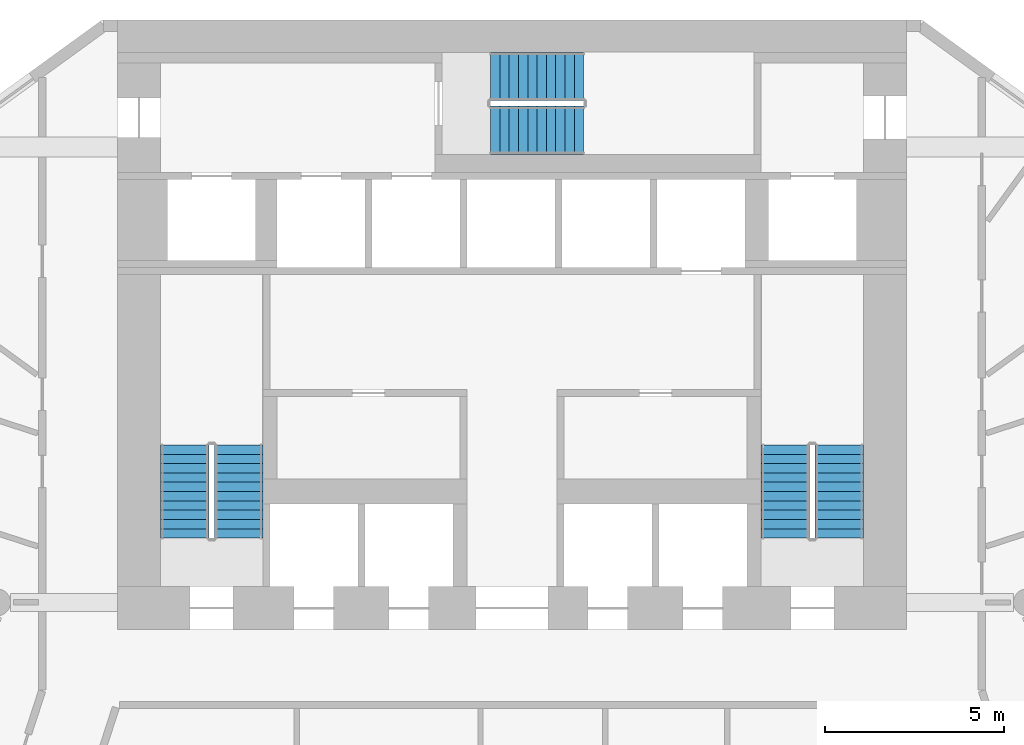
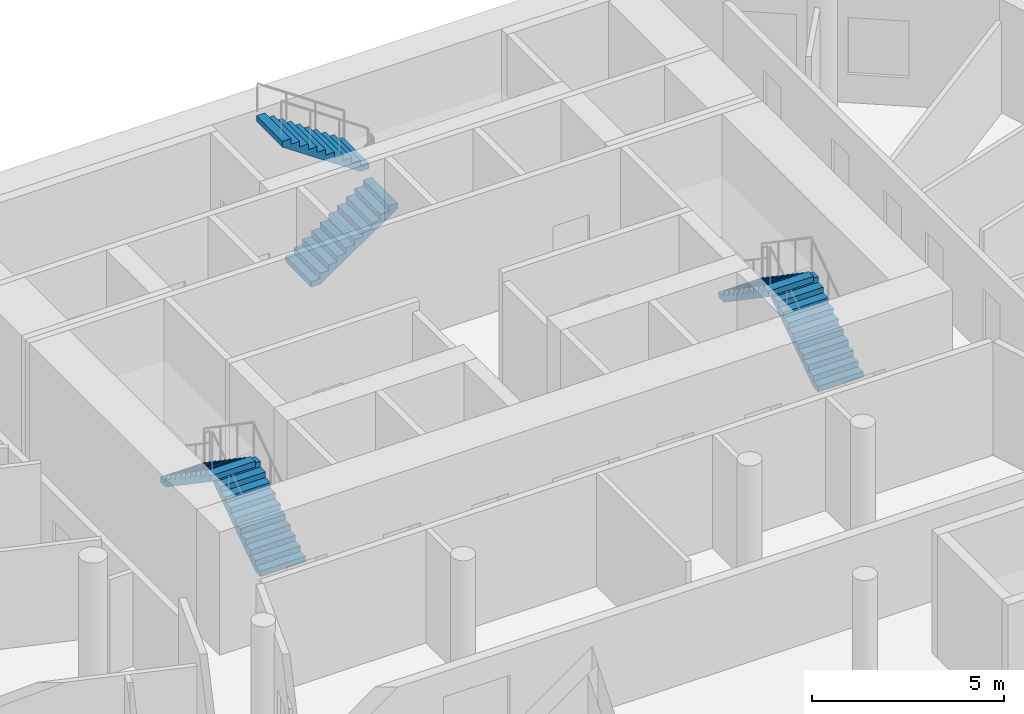
# One storey, part 7 of 9: 6 stair flights, 3 elements without a shape of their own.
"""IFC4 building model written with IfcOpenShell, lengths in metres."""

import ifcopenshell
import ifcopenshell.guid

model = None  # the IFC model being written
_history = None  # IfcOwnerHistory: only IFC2X3 demands one
_inside = {}  # id of a spatial element -> (the spatial element, [elements in it])
_under = {}  # id of a project, library or spatial element -> (it, [spatial elements below it])
_declared = {}  # id of a project -> (the project, [libraries it declares])
_typed = {}  # id of a type object -> (the type object, [elements of that type])
_made_of = {}  # id of a material, layer set ... -> (it, [elements and type objects made of it])


def new_model(schema):
    """Start an empty IFC model of exactly this schema.

    Asked for "IFC4X3", IfcOpenShell would pick the latest addendum, in which some entities
    have other attributes; the version numbers below select the first issue.
    IFC2X3 requires an IfcOwnerHistory on every rooted entity: one is made here for all.
    """
    global model, _history
    if schema == "IFC4X3":
        model = ifcopenshell.file(schema_version=(4, 3, 0, 0))
    else:
        model = ifcopenshell.file(schema=schema)
    _inside.clear()
    _under.clear()
    _declared.clear()
    _typed.clear()
    _made_of.clear()
    _history = None
    if model.schema == "IFC2X3":
        org = make("IfcOrganization", Name="unknown")
        user = make(
            "IfcPersonAndOrganization",
            ThePerson=make("IfcPerson", FamilyName="unknown"),
            TheOrganization=org,
        )
        app = make(
            "IfcApplication",
            ApplicationDeveloper=org,
            Version="unknown",
            ApplicationFullName="unknown",
            ApplicationIdentifier="unknown",
        )
        _history = make(
            "IfcOwnerHistory",
            OwningUser=user,
            OwningApplication=app,
            ChangeAction="ADDED",
            CreationDate=0,
        )
    return model


def make(cls, **values):
    """One entity of the class cls with the attributes given. An attribute that is None is left unset."""
    return model.create_entity(
        cls, **{name: value for name, value in values.items() if value is not None}
    )


def rooted(cls, **values):
    """An entity with a GlobalId (a new one), such as an element, a storey or a relation."""
    return make(cls, GlobalId=ifcopenshell.guid.new(), OwnerHistory=_history, **values)


def si_unit(unit_type, name, prefix=None):
    """IfcSIUnit, for example si_unit("LENGTHUNIT", "METRE", prefix="MILLI")."""
    return make("IfcSIUnit", UnitType=unit_type, Prefix=prefix, Name=name)


def assignment(units):
    """IfcUnitAssignment: the units of a project."""
    return None if units is None else make("IfcUnitAssignment", Units=units)


def point(xyz):
    """IfcCartesianPoint."""
    return None if xyz is None else make("IfcCartesianPoint", Coordinates=xyz)


def direction(xyz):
    """IfcDirection."""
    return None if xyz is None else make("IfcDirection", DirectionRatios=xyz)


def frame(location, z_axis=None, x_axis=None):
    """IfcAxis2Placement3D, a coordinate frame: its origin and axes. An axis left out is left unset."""
    return make(
        "IfcAxis2Placement3D",
        Location=point(location),
        Axis=direction(z_axis),
        RefDirection=direction(x_axis),
    )


def origin():
    """The frame at (0, 0, 0) with its axes left unset."""
    return frame((0.0, 0.0, 0.0))


def place(relative_to, where):
    """IfcLocalPlacement: puts the frame where relative to a parent placement (None: the world)."""
    return make(
        "IfcLocalPlacement", PlacementRelTo=relative_to, RelativePlacement=where
    )


def context(
    kind, dimensions, precision=None, world=None, true_north=None, identifier=None
):
    """IfcGeometricRepresentationContext, for example the 3D "Model" context."""
    return make(
        "IfcGeometricRepresentationContext",
        ContextIdentifier=identifier,
        ContextType=kind,
        CoordinateSpaceDimension=dimensions,
        Precision=precision,
        WorldCoordinateSystem=world,
        TrueNorth=true_north,
    )


def subcontext(parent, identifier, kind, view, scale=None):
    """IfcGeometricRepresentationSubContext, for example "Body" below "Model"."""
    return make(
        "IfcGeometricRepresentationSubContext",
        ContextIdentifier=identifier,
        ContextType=kind,
        ParentContext=parent,
        TargetScale=scale,
        TargetView=view,
    )


def project(units=None, contexts=None):
    """IfcProject with its units and contexts."""
    return rooted(
        "IfcProject",
        Name="project",
        RepresentationContexts=contexts,
        UnitsInContext=assignment(units),
    )


def spatial(cls, under=None, at=None, **own):
    """A site, building, storey or space (cls), placed at a placement, below another one or the project."""
    s = rooted(cls, ObjectPlacement=at, **own)
    if under is not None:
        _under.setdefault(under.id(), (under, []))[1].append(s)
    return s


def polyline(points):
    """IfcPolyline through the points."""
    return make("IfcPolyline", Points=[point(p) for p in points])


def outline(outer, holes=None, kind="AREA"):
    """IfcArbitraryClosedProfileDef: a profile drawn as a closed curve; with holes, ...WithVoids."""
    if holes is None:
        return make("IfcArbitraryClosedProfileDef", ProfileType=kind, OuterCurve=outer)
    return make(
        "IfcArbitraryProfileDefWithVoids",
        ProfileType=kind,
        OuterCurve=outer,
        InnerCurves=holes,
    )


def extrude(swept, where, along, depth):
    """IfcExtrudedAreaSolid: the profile swept, set in the frame where, extruded along a direction by depth."""
    return make(
        "IfcExtrudedAreaSolid",
        SweptArea=swept,
        Position=where,
        ExtrudedDirection=direction(along),
        Depth=depth,
    )


def shape(context_of_items, identifier, shape_type, items):
    """IfcShapeRepresentation: the items that make up one representation, for example the "Body"."""
    return make(
        "IfcShapeRepresentation",
        ContextOfItems=context_of_items,
        RepresentationIdentifier=identifier,
        RepresentationType=shape_type,
        Items=items,
    )


def material(Name=None, Category=None):
    """IfcMaterial."""
    return make("IfcMaterial", Name=Name, Category=Category)


def layer(
    of_material, thickness, ventilated=None, Name=None, Category=None, Priority=None
):
    """IfcMaterialLayer: one layer of a wall or slab, of a material (None: an air gap)."""
    return make(
        "IfcMaterialLayer",
        Material=of_material,
        LayerThickness=thickness,
        IsVentilated=ventilated,
        Name=Name,
        Category=Category,
        Priority=Priority,
    )


def layer_set(layers, Name=None):
    """IfcMaterialLayerSet."""
    return make("IfcMaterialLayerSet", MaterialLayers=layers, LayerSetName=Name)


def made_of(thing, what):
    """Note that an element or type object is made of a material, layer set ...; save() writes the relation."""
    if what is not None:
        _made_of.setdefault(what.id(), (what, []))[1].append(thing)
    return thing


def type_object(cls, material=None, **own):
    """A type object (cls), such as IfcWallType, which elements share."""
    return made_of(rooted(cls, **own), material)


def element(
    cls,
    number,
    at=None,
    inside=None,
    cuts=None,
    type_object=None,
    material=None,
    context=None,
    identifier="Body",
    shape_type=None,
    held_by="IfcProductDefinitionShape",
    body=None,
    shapes=None,
    **own,
):
    """One element of the class cls, such as IfcWall. Its Tag is "e" and its number.

    at: its placement. inside: the storey or other place that contains it. cuts: it is an
    opening in that element (IfcRelVoidsElement). A single representation is given by context,
    identifier, shape_type and body (its items); several are given by shapes. held_by: the class
    of the entity that holds the representations. save() writes the other relations.
    """
    e = rooted(cls, Tag="e%d" % number, ObjectPlacement=at, **own)
    if body is not None:
        shapes = [shape(context, identifier, shape_type, body)]
    if shapes is not None:
        e.Representation = make(held_by, Representations=shapes)
    if inside is not None:
        _inside.setdefault(inside.id(), (inside, []))[1].append(e)
    if cuts is not None:
        rooted(
            "IfcRelVoidsElement", RelatingBuildingElement=cuts, RelatedOpeningElement=e
        )
    if type_object is not None:
        _typed.setdefault(type_object.id(), (type_object, []))[1].append(e)
    return made_of(e, material)


def aggregate(whole, parts):
    """IfcRelAggregates: a whole, such as a stair, and the parts it consists of."""
    return rooted("IfcRelAggregates", RelatingObject=whole, RelatedObjects=parts)


def save(model, path):
    """Write the relations noted so far, then the file.

    IfcRelAggregates (storeys below a building ...), IfcRelContainedInSpatialStructure (elements
    in a storey), IfcRelDefinesByType, IfcRelAssociatesMaterial and IfcRelDeclares: one each for
    every whole, place, type object, material and project.
    """
    for whole, parts in _under.values():
        aggregate(whole, parts)
    for where, things in _inside.values():
        rooted(
            "IfcRelContainedInSpatialStructure",
            RelatedElements=things,
            RelatingStructure=where,
        )
    for kind, things in _typed.values():
        rooted("IfcRelDefinesByType", RelatedObjects=things, RelatingType=kind)
    for what, things in _made_of.values():
        rooted("IfcRelAssociatesMaterial", RelatedObjects=things, RelatingMaterial=what)
    for by, libraries in _declared.values():
        rooted("IfcRelDeclares", RelatingContext=by, RelatedDefinitions=libraries)
    model.write(path)


model = new_model("IFC4")

# Units and contexts
model_context = context("Model", 3, precision=1e-05, world=origin(), true_north=direction((0.0, 1.0)))
body_context = subcontext(model_context, "Body", "Model", "MODEL_VIEW")
ifc_project = project(units=[si_unit("LENGTHUNIT", "METRE"), si_unit("AREAUNIT", "SQUARE_METRE"), si_unit("VOLUMEUNIT", "CUBIC_METRE"), si_unit("PLANEANGLEUNIT", "RADIAN"), si_unit("MASSUNIT", "GRAM", prefix="KILO")], contexts=[model_context])

# Site, building, storey
site_placement = place(None, origin())
site = spatial("IfcSite", under=ifc_project, at=site_placement, CompositionType="ELEMENT")
building_placement = place(site_placement, origin())
building = spatial("IfcBuilding", under=site, at=building_placement, Name="White Candle Pilgrim Tower", CompositionType="ELEMENT")
storey_placement = place(building_placement, frame((0.0, 0.0, 74.10009765625)))
storey = spatial("IfcBuildingStorey", under=building, at=storey_placement, Name="L15", CompositionType="ELEMENT", Elevation=74.10009765625)

# Stair, stair flights
ifc_material = material(Name="Concrete C40/50", Category="concrete")
stair_type_1 = type_object("IfcStairType", Name="Exit stair 1 flight width 1350 mm", PredefinedType="HALF_TURN_STAIR", material=ifc_material)
stair_1_placement = place(storey_placement, origin())
stair_1 = element("IfcStair", 1, at=stair_1_placement, inside=storey, type_object=stair_type_1, Name="L15 stair 1", PredefinedType="NOTDEFINED")
ifc_layer = layer(ifc_material, 0.14990234375)
ifc_layer_set = layer_set([ifc_layer], Name="Stair flight Concrete C40/50")
stair_flight_type = type_object("IfcStairFlightType", Name="Stair flight Concrete C40/50", PredefinedType="STRAIGHT", material=ifc_layer_set)
stair_flight_1_placement = place(storey_placement, frame((62.375, 73.550048828125, 0.0), z_axis=(0.0, 0.0, 1.0), x_axis=(0.0, 1.0, 0.0)))
stair_flight_1 = element("IfcStairFlight", 2, at=stair_flight_1_placement, type_object=stair_flight_type, Name="ST1 flight 1", NumberOfRisers=11, NumberOfTreads=10, PredefinedType="NOTDEFINED", RiserHeight=0.177272727, TreadLength=0.26, context=body_context, shape_type="SweptSolid", body=[
    extrude(outline(polyline([(0.0, 0.0), (0.0, 0.17724609375), (0.260009765625, 0.17724609375), (0.260009765625, 0.3544921875), (0.52001953125, 0.3544921875), (0.52001953125, 0.53173828125), (0.780029296875, 0.53173828125), (0.780029296875, 0.708984375), (1.0400390625, 0.708984375), (1.0400390625, 0.886474609375), (1.300048828125, 0.886474609375), (1.300048828125, 1.063720703125), (1.56005859375, 1.063720703125), (1.56005859375, 1.240966796875), (1.820068359375, 1.240966796875), (1.820068359375, 1.418212890625), (2.080078125, 1.418212890625), (2.080078125, 1.595458984375), (2.340087890625, 1.595458984375), (2.340087890625, 1.772705078125), (2.60009765625, 1.772705078125), (2.60009765625, 1.949951171875), (2.60009765625, 1.59130859375), (0.26611328125, 0.0), (0.0, 0.0)])), frame((0.0, 0.675048828125, 0.0), z_axis=(0.0, -1.0, 0.0), x_axis=(1.0, 0.0, 0.0)), (0.0, 0.0, 1.0), 1.35009765625),
])
stair_flight_2_placement = place(storey_placement, frame((60.875, 76.14990234375, 1.949951171875), z_axis=(0.0, 0.0, 1.0), x_axis=(0.0, -1.0, 0.0)))
stair_flight_2 = element("IfcStairFlight", 3, at=stair_flight_2_placement, type_object=stair_flight_type, Name="ST1 flight 2", NumberOfRisers=11, NumberOfTreads=10, PredefinedType="NOTDEFINED", RiserHeight=0.177272727, TreadLength=0.26, context=body_context, shape_type="SweptSolid", body=[
    extrude(outline(polyline([(0.0, 0.0), (0.0, 0.17724609375), (0.260009765625, 0.17724609375), (0.260009765625, 0.3544921875), (0.52001953125, 0.3544921875), (0.52001953125, 0.53173828125), (0.780029296875, 0.53173828125), (0.780029296875, 0.708984375), (1.0400390625, 0.708984375), (1.0400390625, 0.886474609375), (1.300048828125, 0.886474609375), (1.300048828125, 1.063720703125), (1.56005859375, 1.063720703125), (1.56005859375, 1.240966796875), (1.820068359375, 1.240966796875), (1.820068359375, 1.418212890625), (2.080078125, 1.418212890625), (2.080078125, 1.595458984375), (2.340087890625, 1.595458984375), (2.340087890625, 1.772705078125), (2.60009765625, 1.772705078125), (2.60009765625, 1.949951171875), (2.60009765625, 1.59130859375), (0.26611328125, 0.0), (0.0, 0.0)])), frame((0.0, 0.675048828125, 0.0), z_axis=(0.0, -1.0, 0.0), x_axis=(1.0, 0.0, 0.0)), (0.0, 0.0, 1.0), 1.35009765625),
])
aggregate(stair_1, [stair_flight_1, stair_flight_2])

stair_type_2 = type_object("IfcStairType", Name="Exit stair 2 flight width 1350 mm", PredefinedType="HALF_TURN_STAIR", material=ifc_material)
stair_2_placement = place(storey_placement, origin())
stair_2 = element("IfcStair", 4, at=stair_2_placement, inside=storey, type_object=stair_type_2, Name="L15 stair 2", PredefinedType="NOTDEFINED")
stair_flight_3_placement = place(storey_placement, frame((79.125, 73.550048828125, 0.0), z_axis=(0.0, 0.0, 1.0), x_axis=(0.0, 1.0, 0.0)))
stair_flight_3 = element("IfcStairFlight", 5, at=stair_flight_3_placement, type_object=stair_flight_type, Name="ST2 flight 1", NumberOfRisers=11, NumberOfTreads=10, PredefinedType="NOTDEFINED", RiserHeight=0.177272727, TreadLength=0.26, context=body_context, shape_type="SweptSolid", body=[
    extrude(outline(polyline([(0.0, 0.0), (0.0, 0.17724609375), (0.260009765625, 0.17724609375), (0.260009765625, 0.3544921875), (0.52001953125, 0.3544921875), (0.52001953125, 0.53173828125), (0.780029296875, 0.53173828125), (0.780029296875, 0.708984375), (1.0400390625, 0.708984375), (1.0400390625, 0.886474609375), (1.300048828125, 0.886474609375), (1.300048828125, 1.063720703125), (1.56005859375, 1.063720703125), (1.56005859375, 1.240966796875), (1.820068359375, 1.240966796875), (1.820068359375, 1.418212890625), (2.080078125, 1.418212890625), (2.080078125, 1.595458984375), (2.340087890625, 1.595458984375), (2.340087890625, 1.772705078125), (2.60009765625, 1.772705078125), (2.60009765625, 1.949951171875), (2.60009765625, 1.59130859375), (0.26611328125, 0.0), (0.0, 0.0)])), frame((0.0, 0.675048828125, 0.0), z_axis=(0.0, -1.0, 0.0), x_axis=(1.0, 0.0, 0.0)), (0.0, 0.0, 1.0), 1.35009765625),
])
stair_flight_4_placement = place(storey_placement, frame((77.625, 76.14990234375, 1.949951171875), z_axis=(0.0, 0.0, 1.0), x_axis=(0.0, -1.0, 0.0)))
stair_flight_4 = element("IfcStairFlight", 6, at=stair_flight_4_placement, type_object=stair_flight_type, Name="ST2 flight 2", NumberOfRisers=11, NumberOfTreads=10, PredefinedType="NOTDEFINED", RiserHeight=0.177272727, TreadLength=0.26, context=body_context, shape_type="SweptSolid", body=[
    extrude(outline(polyline([(0.0, 0.0), (0.0, 0.17724609375), (0.260009765625, 0.17724609375), (0.260009765625, 0.3544921875), (0.52001953125, 0.3544921875), (0.52001953125, 0.53173828125), (0.780029296875, 0.53173828125), (0.780029296875, 0.708984375), (1.0400390625, 0.708984375), (1.0400390625, 0.886474609375), (1.300048828125, 0.886474609375), (1.300048828125, 1.063720703125), (1.56005859375, 1.063720703125), (1.56005859375, 1.240966796875), (1.820068359375, 1.240966796875), (1.820068359375, 1.418212890625), (2.080078125, 1.418212890625), (2.080078125, 1.595458984375), (2.340087890625, 1.595458984375), (2.340087890625, 1.772705078125), (2.60009765625, 1.772705078125), (2.60009765625, 1.949951171875), (2.60009765625, 1.59130859375), (0.26611328125, 0.0), (0.0, 0.0)])), frame((0.0, 0.675048828125, 0.0), z_axis=(0.0, -1.0, 0.0), x_axis=(1.0, 0.0, 0.0)), (0.0, 0.0, 1.0), 1.35009765625),
])
aggregate(stair_2, [stair_flight_3, stair_flight_4])

stair_type_3 = type_object("IfcStairType", Name="Exit stair 3 flight width 1350 mm", PredefinedType="HALF_TURN_STAIR", material=ifc_material)
stair_3_placement = place(storey_placement, origin())
stair_3 = element("IfcStair", 7, at=stair_3_placement, inside=storey, type_object=stair_type_3, Name="L15 stair 3", PredefinedType="NOTDEFINED")
stair_flight_5_placement = place(storey_placement, frame((69.39990234375, 84.925048828125, 0.0), z_axis=(0.0, 0.0, 1.0), x_axis=(1.0, 0.0, 0.0)))
stair_flight_5 = element("IfcStairFlight", 8, at=stair_flight_5_placement, type_object=stair_flight_type, Name="ST3 flight 1", NumberOfRisers=11, NumberOfTreads=10, PredefinedType="NOTDEFINED", RiserHeight=0.177272727, TreadLength=0.26, context=body_context, shape_type="SweptSolid", body=[
    extrude(outline(polyline([(0.0, 0.0), (0.0, 0.17724609375), (0.260009765625, 0.17724609375), (0.260009765625, 0.3544921875), (0.52001953125, 0.3544921875), (0.52001953125, 0.53173828125), (0.780029296875, 0.53173828125), (0.780029296875, 0.708984375), (1.0400390625, 0.708984375), (1.0400390625, 0.886474609375), (1.300048828125, 0.886474609375), (1.300048828125, 1.063720703125), (1.56005859375, 1.063720703125), (1.56005859375, 1.240966796875), (1.820068359375, 1.240966796875), (1.820068359375, 1.418212890625), (2.080078125, 1.418212890625), (2.080078125, 1.595458984375), (2.340087890625, 1.595458984375), (2.340087890625, 1.772705078125), (2.60009765625, 1.772705078125), (2.60009765625, 1.949951171875), (2.60009765625, 1.59130859375), (0.26611328125, 0.0), (0.0, 0.0)])), frame((0.0, 0.675048828125, 0.0), z_axis=(0.0, -1.0, 0.0), x_axis=(1.0, 0.0, 0.0)), (0.0, 0.0, 1.0), 1.35009765625),
])
stair_flight_6_placement = place(storey_placement, frame((72.0, 86.425048828125, 1.949951171875), z_axis=(0.0, 0.0, 1.0), x_axis=(-1.0, 0.0, 0.0)))
stair_flight_6 = element("IfcStairFlight", 9, at=stair_flight_6_placement, type_object=stair_flight_type, Name="ST3 flight 2", NumberOfRisers=11, NumberOfTreads=10, PredefinedType="NOTDEFINED", RiserHeight=0.177272727, TreadLength=0.26, context=body_context, shape_type="SweptSolid", body=[
    extrude(outline(polyline([(0.0, 0.0), (0.0, 0.17724609375), (0.260009765625, 0.17724609375), (0.260009765625, 0.3544921875), (0.52001953125, 0.3544921875), (0.52001953125, 0.53173828125), (0.780029296875, 0.53173828125), (0.780029296875, 0.708984375), (1.0400390625, 0.708984375), (1.0400390625, 0.886474609375), (1.300048828125, 0.886474609375), (1.300048828125, 1.063720703125), (1.56005859375, 1.063720703125), (1.56005859375, 1.240966796875), (1.820068359375, 1.240966796875), (1.820068359375, 1.418212890625), (2.080078125, 1.418212890625), (2.080078125, 1.595458984375), (2.340087890625, 1.595458984375), (2.340087890625, 1.772705078125), (2.60009765625, 1.772705078125), (2.60009765625, 1.949951171875), (2.60009765625, 1.59130859375), (0.26611328125, 0.0), (0.0, 0.0)])), frame((0.0, 0.675048828125, 0.0), z_axis=(0.0, -1.0, 0.0), x_axis=(1.0, 0.0, 0.0)), (0.0, 0.0, 1.0), 1.35009765625),
])
aggregate(stair_3, [stair_flight_5, stair_flight_6])

save(model, "model.ifc")
